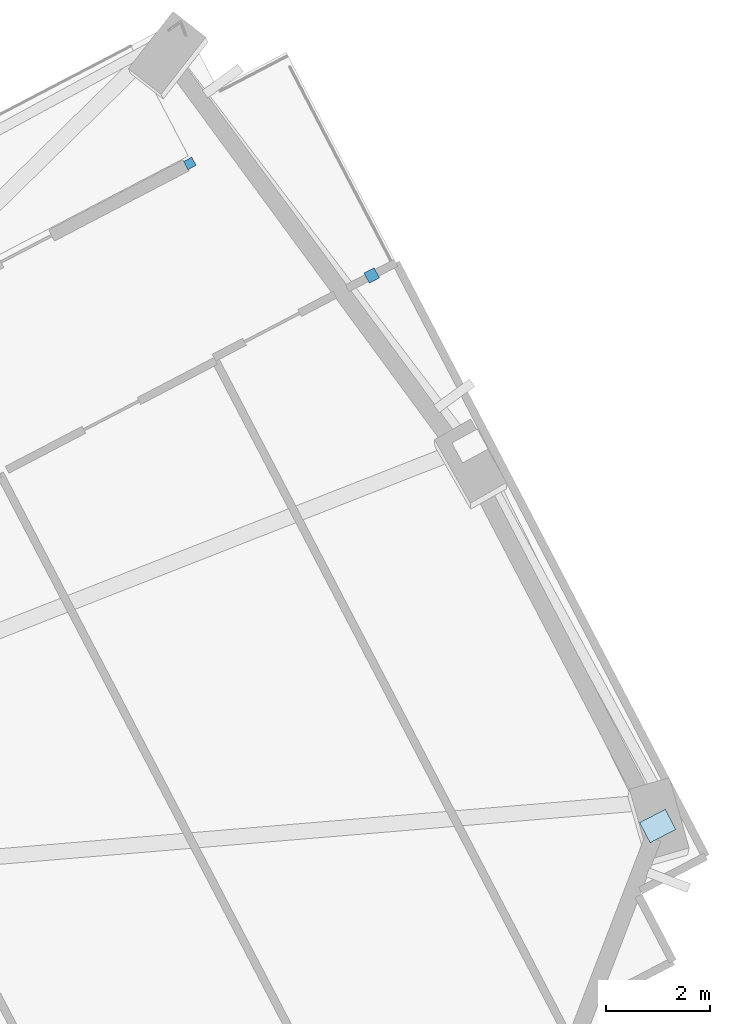
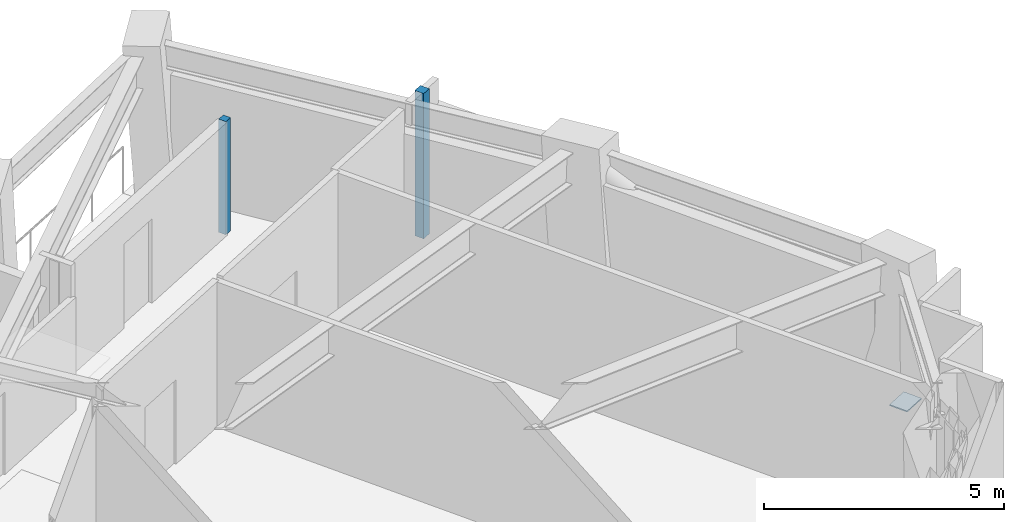
# One storey, part 6 of 16: 3 plates.
"""IFC4 building model written with IfcOpenShell, lengths in metres."""

from ifc_helpers import new_model, si_unit, direction, frame, origin, origin_2d, place, context, subcontext, project, spatial, rectangle, extrude, material, layer, layer_set, type_object, element, save


model = new_model("IFC4")

# Units and contexts
model_context = context("Model", 3, precision=1e-05, world=origin(), true_north=direction((0.0, 1.0)))
body_context = subcontext(model_context, "Body", "Model", "MODEL_VIEW")
ifc_project = project(units=[si_unit("LENGTHUNIT", "METRE"), si_unit("AREAUNIT", "SQUARE_METRE"), si_unit("VOLUMEUNIT", "CUBIC_METRE"), si_unit("PLANEANGLEUNIT", "RADIAN"), si_unit("MASSUNIT", "GRAM", prefix="KILO")], contexts=[model_context])

# Site, building, storey
site_placement = place(None, origin())
site = spatial("IfcSite", under=ifc_project, at=site_placement, CompositionType="ELEMENT")
building_placement = place(site_placement, origin())
building = spatial("IfcBuilding", under=site, at=building_placement, Name="Gaonmaruhae Medical Tower", CompositionType="ELEMENT")
storey_placement = place(building_placement, frame((0.0, 0.0, 140.39990234375)))
storey = spatial("IfcBuildingStorey", under=building, at=storey_placement, Name="L33", CompositionType="ELEMENT", Elevation=140.39990234375)

# Plates
ifc_material_1 = material(Name="Steel HSA650 (650 MPa)", Category="steel")
ifc_layer_1 = layer(ifc_material_1, 0.028076171875)
ifc_layer_set_1 = layer_set([ifc_layer_1], Name="Steel HSA650 (650 MPa)")
plate_type_1 = type_object("IfcPlateType", Name="GP-02 Tube Brace End Cap Gusset Plate", PredefinedType="USERDEFINED", material=ifc_layer_set_1)
plate_1_placement = place(storey_placement, frame((62.400146484375, 18.5634765625, 0.23583984375), z_axis=(0.0, 0.0, 1.0), x_axis=(0.8866075438, 0.462522500293, 0.0)))
element("IfcPlate", 1, at=plate_1_placement, inside=storey, type_object=plate_type_1, Name="L33 Gusset Cap Plate PLT-L33-PBR-E01A", ObjectType="GUSSET_PLATE", PredefinedType="USERDEFINED", context=body_context, shape_type="SweptSolid", body=[
    extrude(rectangle(XDim=0.56005859375, YDim=0.43994140625, at=origin_2d()), origin(), (0.0, 0.0, 1.0), 0.028076171875),
])
ifc_material_2 = material(Name="Anodised aluminium 6063-T6", Category="aluminium")
ifc_layer_2 = layer(ifc_material_2, 0.011962890625)
ifc_layer_set_2 = layer_set([ifc_layer_2], Name="Anodised aluminium 6063-T6")
plate_type_2 = type_object("IfcPlateType", Name="PP-01 Interior Partition Corner Stiffener Plate", PredefinedType="SHEET", material=ifc_layer_set_2)
plate_2_placement = place(storey_placement, frame((53.373291015625, 31.34814453125, 0.0), z_axis=(0.0, 0.0, 1.0), x_axis=(0.886599471124, 0.462537974443, 0.0)))
element("IfcPlate", 2, at=plate_2_placement, inside=storey, type_object=plate_type_2, Name="L33 Partition End Jamb Post Plate PLT-L33-ENDP-TERB-1", PredefinedType="SHEET", context=body_context, shape_type="SweptSolid", body=[
    extrude(rectangle(XDim=0.179931640625, YDim=0.179931640625, at=origin_2d()), origin(), (0.0, 0.0, 1.0), 2.885009765625),
])
plate_3_placement = place(storey_placement, frame((56.882080078125, 29.1865234375, 0.0), z_axis=(0.0, 0.0, 1.0), x_axis=(0.886736669876, 0.462274894729, 0.0)))
element("IfcPlate", 3, at=plate_3_placement, inside=storey, type_object=plate_type_2, Name="L33 Partition Corner Stiffener Plate PLT-L33-JGP-PW108", PredefinedType="SHEET", context=body_context, shape_type="SweptSolid", body=[
    extrude(rectangle(XDim=0.219970703125, YDim=0.219970703125, at=origin_2d()), origin(), (0.0, 0.0, 1.0), 3.699951171875),
])

save(model, "model.ifc")
